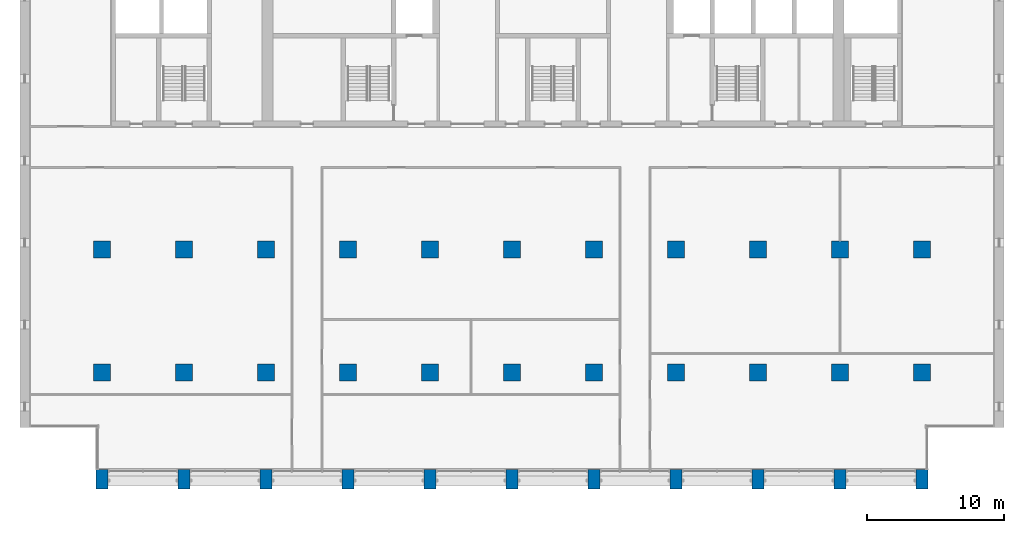
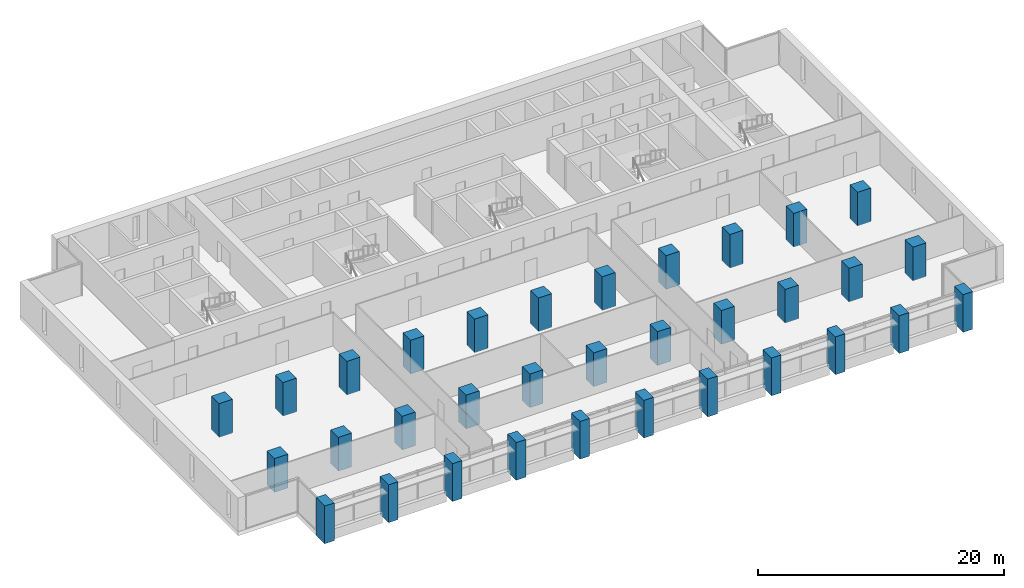
# One storey, part 1 of 15: 33 columns.
"""IFC4 building model written with IfcOpenShell, lengths in metres."""

from ifc_helpers import new_model, si_unit, direction, frame, origin, origin_2d, place, context, subcontext, project, spatial, rectangle, extrude, material, material_profile, profile_set, type_object, element, save


model = new_model("IFC4")

# Units and contexts
model_context = context("Model", 3, precision=1e-05, world=origin(), true_north=direction((0.0, 1.0)))
body_context = subcontext(model_context, "Body", "Model", "MODEL_VIEW")
ifc_project = project(units=[si_unit("LENGTHUNIT", "METRE"), si_unit("AREAUNIT", "SQUARE_METRE"), si_unit("VOLUMEUNIT", "CUBIC_METRE"), si_unit("PLANEANGLEUNIT", "RADIAN"), si_unit("MASSUNIT", "GRAM", prefix="KILO")], contexts=[model_context])

# Site, building, storey
site_placement = place(None, origin())
site = spatial("IfcSite", under=ifc_project, at=site_placement, CompositionType="ELEMENT")
building_placement = place(site_placement, origin())
building = spatial("IfcBuilding", under=site, at=building_placement, Name="Calvaro Tower", CompositionType="ELEMENT")
storey_placement = place(building_placement, frame((0.0, 0.0, 143.75)))
storey = spatial("IfcBuildingStorey", under=building, at=storey_placement, Name="L36", CompositionType="ELEMENT", Elevation=143.75)

# Columns
ifc_material_1 = material(Name="Concrete C60/75", Category="concrete")
ifc_material_profile_1 = material_profile(ifc_material_1, rectangle(XDim=1.25, YDim=1.25, at=origin_2d()), Name="RC 1250x1250")
ifc_profile_set_1 = profile_set([ifc_material_profile_1], Name="Concrete C60/75")
column_type_1 = type_object("IfcColumnType", Name="Column 1250x1250 C60/75", PredefinedType="COLUMN", material=ifc_profile_set_1)
for number, where, z_axis, x_axis, name in (
    (1, (6.0, 10.0, 0.0), (0.0, 0.0, 1.0), (1.0, 0.0, 0.0), "Column 2B"),
    (2, (6.0, 19.0, 0.0), (0.0, 0.0, 1.0), (1.0, 0.0, 0.0), "Column 2C"),
    (3, (12.0, 10.0, 0.0), (0.0, 0.0, 1.0), (1.0, 0.0, 0.0), "Column 3B"),
    (4, (12.0, 19.0, 0.0), (0.0, 0.0, 1.0), (1.0, 0.0, 0.0), "Column 3C"),
    (5, (18.0, 10.0, 0.0), (0.0, 0.0, 1.0), (1.0, 0.0, 0.0), "Column 4B"),
    (6, (18.0, 19.0, 0.0), (0.0, 0.0, 1.0), (1.0, 0.0, 0.0), "Column 4C"),
    (7, (24.0, 10.0, 0.0), (0.0, 0.0, 1.0), (1.0, 0.0, 0.0), "Column 5B"),
    (8, (24.0, 19.0, 0.0), (0.0, 0.0, 1.0), (1.0, 0.0, 0.0), "Column 5C"),
    (9, (30.0, 10.0, 0.0), (0.0, 0.0, 1.0), (1.0, 0.0, 0.0), "Column 6B"),
    (10, (30.0, 19.0, 0.0), (0.0, 0.0, 1.0), (1.0, 0.0, 0.0), "Column 6C"),
    (11, (36.0, 10.0, 0.0), (0.0, 0.0, 1.0), (1.0, 0.0, 0.0), "Column 7B"),
    (12, (36.0, 19.0, 0.0), (0.0, 0.0, 1.0), (1.0, 0.0, 0.0), "Column 7C"),
    (13, (42.0, 10.0, 0.0), (0.0, 0.0, 1.0), (1.0, 0.0, 0.0), "Column 8B"),
    (14, (42.0, 19.0, 0.0), (0.0, 0.0, 1.0), (1.0, 0.0, 0.0), "Column 8C"),
    (15, (48.0, 10.0, 0.0), (0.0, 0.0, 1.0), (1.0, 0.0, 0.0), "Column 9B"),
    (16, (48.0, 19.0, 0.0), (0.0, 0.0, 1.0), (1.0, 0.0, 0.0), "Column 9C"),
    (17, (54.0, 10.0, 0.0), (0.0, 0.0, 1.0), (1.0, 0.0, 0.0), "Column 10B"),
    (18, (54.0, 19.0, 0.0), (0.0, 0.0, 1.0), (1.0, 0.0, 0.0), "Column 10C"),
    (19, (60.0, 10.0, 0.0), (0.0, 0.0, 1.0), (1.0, 0.0, 0.0), "Column 11B"),
    (20, (60.0, 19.0, 0.0), (0.0, 0.0, 1.0), (1.0, 0.0, 0.0), "Column 11C"),
    (21, (66.0, 10.0, 0.0), (0.0, 0.0, 1.0), (1.0, 0.0, 0.0), "Column 12B"),
    (22, (66.0, 19.0, 0.0), (0.0, 0.0, 1.0), (1.0, 0.0, 0.0), "Column 12C"),
):
    element("IfcColumn", number, at=place(storey_placement, frame(where, z_axis=z_axis, x_axis=x_axis)), inside=storey, type_object=column_type_1, Name=name, PredefinedType="COLUMN", context=body_context, shape_type="SweptSolid", body=[
        extrude(rectangle(XDim=1.25, YDim=1.25, at=origin_2d()), origin(), (0.0, 0.0, 1.0), 3.35009765625),
    ])
ifc_material_2 = material(Name="Concrete C60/75", Category="concrete")
ifc_material_profile_2 = material_profile(ifc_material_2, rectangle(XDim=0.89990234375, YDim=1.39990234375, at=origin_2d()), Name="RC 900x1400")
ifc_profile_set_2 = profile_set([ifc_material_profile_2], Name="Concrete C60/75")
column_type_2 = type_object("IfcColumnType", Name="Pier 900x1400 C60/75", PredefinedType="COLUMN", material=ifc_profile_set_2)
for number, where, z_axis, x_axis, name in (
    (23, (6.0, 2.199951171875, -0.39990234375), (0.0, 0.0, 1.0), (1.0, 0.0, 0.0), "South pier 2"),
    (24, (12.0, 2.199951171875, -0.39990234375), (0.0, 0.0, 1.0), (1.0, 0.0, 0.0), "South pier 3"),
    (25, (18.0, 2.199951171875, -0.39990234375), (0.0, 0.0, 1.0), (1.0, 0.0, 0.0), "South pier 4"),
    (26, (24.0, 2.199951171875, -0.39990234375), (0.0, 0.0, 1.0), (1.0, 0.0, 0.0), "South pier 5"),
    (27, (30.0, 2.199951171875, -0.39990234375), (0.0, 0.0, 1.0), (1.0, 0.0, 0.0), "South pier 6"),
    (28, (36.0, 2.199951171875, -0.39990234375), (0.0, 0.0, 1.0), (1.0, 0.0, 0.0), "South pier 7"),
    (29, (42.0, 2.199951171875, -0.39990234375), (0.0, 0.0, 1.0), (1.0, 0.0, 0.0), "South pier 8"),
    (30, (48.0, 2.199951171875, -0.39990234375), (0.0, 0.0, 1.0), (1.0, 0.0, 0.0), "South pier 9"),
    (31, (54.0, 2.199951171875, -0.39990234375), (0.0, 0.0, 1.0), (1.0, 0.0, 0.0), "South pier 10"),
    (32, (60.0, 2.199951171875, -0.39990234375), (0.0, 0.0, 1.0), (1.0, 0.0, 0.0), "South pier 11"),
    (33, (66.0, 2.199951171875, -0.39990234375), (0.0, 0.0, 1.0), (1.0, 0.0, 0.0), "South pier 12"),
):
    element("IfcColumn", number, at=place(storey_placement, frame(where, z_axis=z_axis, x_axis=x_axis)), inside=storey, type_object=column_type_2, Name=name, PredefinedType="COLUMN", context=body_context, shape_type="SweptSolid", body=[
        extrude(rectangle(XDim=0.89990234375, YDim=1.39990234375, at=origin_2d()), origin(), (0.0, 0.0, 1.0), 3.75),
    ])

save(model, "model.ifc")
